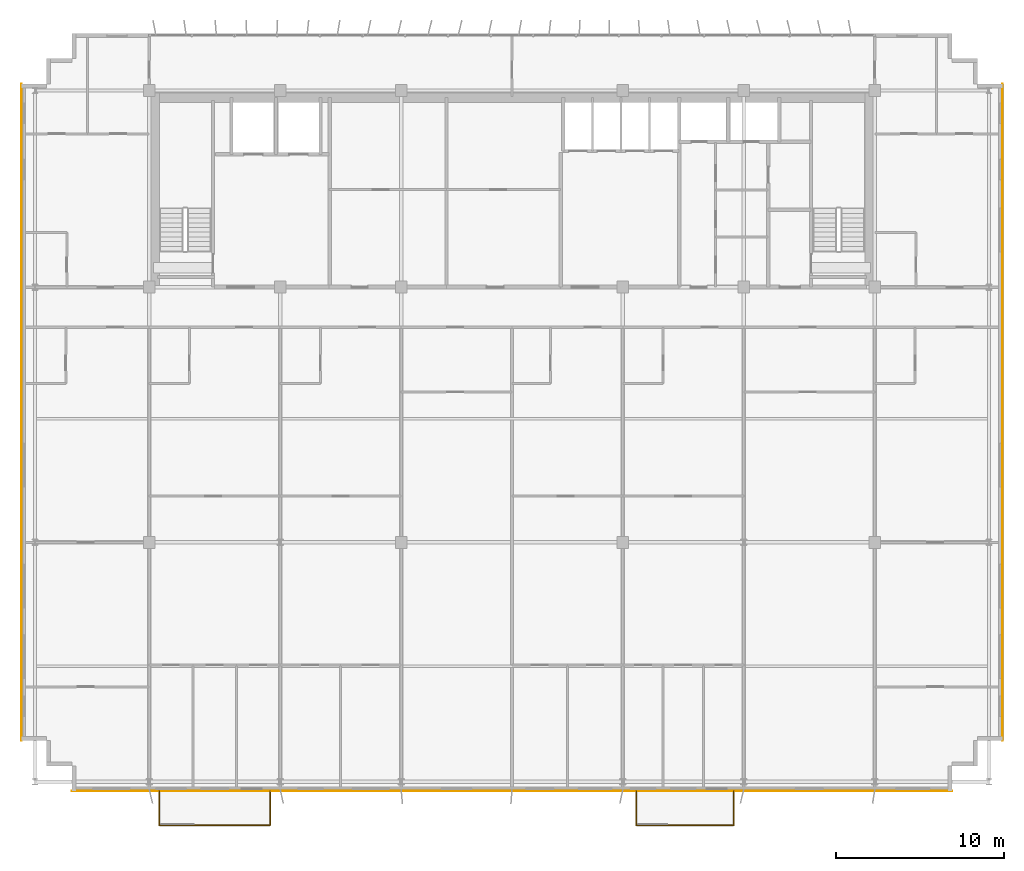
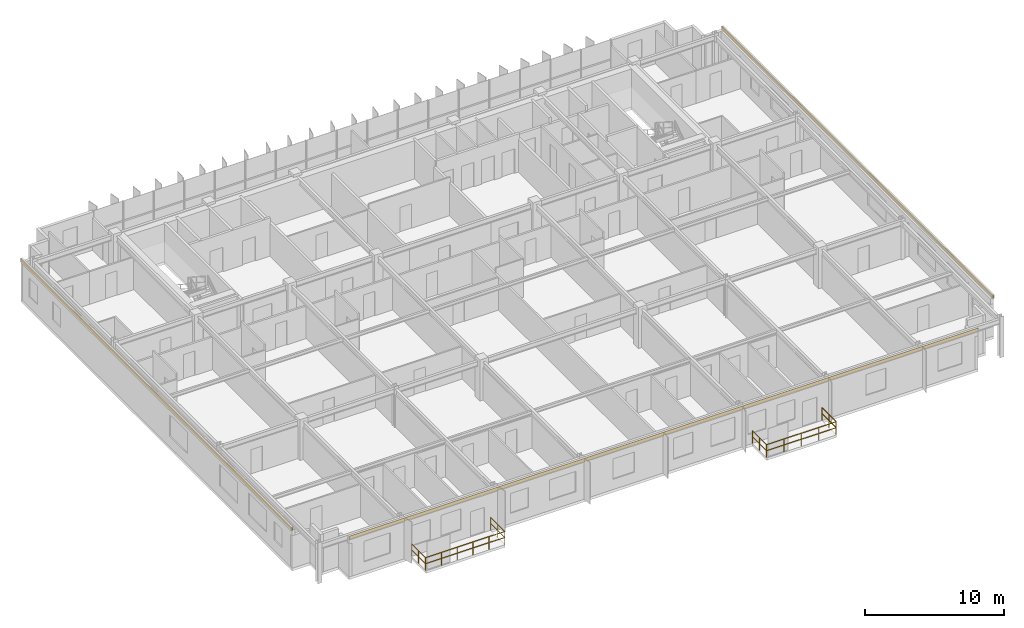
# One storey, part 22 of 23: 6 railings, 3 coverings.
"""IFC4 building model written with IfcOpenShell, lengths in metres."""

from ifc_helpers import new_model, si_unit, direction, frame, origin, origin_2d, place, context, subcontext, project, spatial, rectangle, extrude, source, transform, mapped, material, layer, layer_set, type_object, element, save


model = new_model("IFC4")

# Units and contexts
model_context = context("Model", 3, precision=1e-05, world=origin(), true_north=direction((0.0, 1.0)))
body_context = subcontext(model_context, "Body", "Model", "MODEL_VIEW")
ifc_project = project(units=[si_unit("LENGTHUNIT", "METRE"), si_unit("AREAUNIT", "SQUARE_METRE"), si_unit("VOLUMEUNIT", "CUBIC_METRE"), si_unit("PLANEANGLEUNIT", "RADIAN"), si_unit("MASSUNIT", "GRAM", prefix="KILO")], contexts=[model_context])

# Site, building, storey
site_placement = place(None, origin())
site = spatial("IfcSite", under=ifc_project, at=site_placement, CompositionType="ELEMENT")
building_placement = place(site_placement, origin())
building = spatial("IfcBuilding", under=site, at=building_placement, Name="Trelvane Seafront Commons", CompositionType="ELEMENT")
storey_placement = place(building_placement, frame((0.0, 0.0, 222.89990234375)))
storey = spatial("IfcBuildingStorey", under=building, at=storey_placement, Name="L58", CompositionType="ELEMENT", Elevation=222.89990234375)

# Railings
ifc_material_1 = material(Name="Stainless steel balustrade", Category="steel")
railing_type = type_object("IfcRailingType", Name="ARCH-RAIL-BAL1150", PredefinedType="BALUSTRADE", material=ifc_material_1)
railing_1_placement = place(storey_placement, frame((16.199951171875, 3.39990234375, 0.0)))
element("IfcRailing", 1, at=railing_1_placement, inside=storey, type_object=railing_type, Name="RL-L58-BAL0-01", PredefinedType="BALUSTRADE", context=body_context, shape_type="SweptSolid", body=[
    extrude(rectangle(XDim=0.048095703125, YDim=0.048095703125, at=origin_2d()), frame((0.0, 0.0, 1.1259765625), z_axis=(0.0, -1.0, 0.0), x_axis=(1.0, 0.0, 0.0)), (0.0, 0.0, 1.0), 2.039794921875),
    extrude(rectangle(XDim=0.048095703125, YDim=0.048095703125, at=origin_2d()), frame((0.0, 0.0, 0.597900390625), z_axis=(0.0, -1.0, 0.0), x_axis=(1.0, 0.0, 0.0)), (0.0, 0.0, 1.0), 2.039794921875),
    extrude(rectangle(XDim=0.0419921875, YDim=0.0419921875, at=origin_2d()), origin(), (0.0, 0.0, 1.0), 1.1259765625),
    extrude(rectangle(XDim=0.0419921875, YDim=0.0419921875, at=origin_2d()), frame((0.0, -1.02001953125, 0.0)), (0.0, 0.0, 1.0), 1.1259765625),
    extrude(rectangle(XDim=0.0419921875, YDim=0.0419921875, at=origin_2d()), frame((0.0, -2.039794921875, 0.0)), (0.0, 0.0, 1.0), 1.1259765625),
])
railing_2_placement = place(storey_placement, frame((16.199951171875, 1.360107421875, 0.0)))
element("IfcRailing", 2, at=railing_2_placement, inside=storey, type_object=railing_type, Name="RL-L58-BAL0-02", PredefinedType="BALUSTRADE", context=body_context, shape_type="SweptSolid", body=[
    extrude(rectangle(XDim=0.048095703125, YDim=0.048095703125, at=origin_2d()), frame((0.0, 0.0, 1.1259765625), z_axis=(1.0, 0.0, 0.0), x_axis=(0.0, 1.0, 0.0)), (0.0, 0.0, 1.0), 6.60009765625),
    extrude(rectangle(XDim=0.048095703125, YDim=0.048095703125, at=origin_2d()), frame((0.0, 0.0, 0.597900390625), z_axis=(1.0, 0.0, 0.0), x_axis=(0.0, 1.0, 0.0)), (0.0, 0.0, 1.0), 6.60009765625),
    extrude(rectangle(XDim=0.0419921875, YDim=0.0419921875, at=origin_2d()), origin(), (0.0, 0.0, 1.0), 1.1259765625),
    extrude(rectangle(XDim=0.0419921875, YDim=0.0419921875, at=origin_2d()), frame((1.320068359375, 0.0, 0.0)), (0.0, 0.0, 1.0), 1.1259765625),
    extrude(rectangle(XDim=0.0419921875, YDim=0.0419921875, at=origin_2d()), frame((2.64013671875, 0.0, 0.0)), (0.0, 0.0, 1.0), 1.1259765625),
    extrude(rectangle(XDim=0.0419921875, YDim=0.0419921875, at=origin_2d()), frame((3.9599609375, 0.0, 0.0)), (0.0, 0.0, 1.0), 1.1259765625),
    extrude(rectangle(XDim=0.0419921875, YDim=0.0419921875, at=origin_2d()), frame((5.280029296875, 0.0, 0.0)), (0.0, 0.0, 1.0), 1.1259765625),
    extrude(rectangle(XDim=0.0419921875, YDim=0.0419921875, at=origin_2d()), frame((6.60009765625, 0.0, 0.0)), (0.0, 0.0, 1.0), 1.1259765625),
])
railing_3_placement = place(storey_placement, frame((22.800048828125, 1.360107421875, 0.0)))
element("IfcRailing", 3, at=railing_3_placement, inside=storey, type_object=railing_type, Name="RL-L58-BAL0-03", PredefinedType="BALUSTRADE", context=body_context, shape_type="SweptSolid", body=[
    extrude(rectangle(XDim=0.048095703125, YDim=0.048095703125, at=origin_2d()), frame((0.0, 0.0, 1.1259765625), z_axis=(0.0, 1.0, 0.0), x_axis=(-1.0, 0.0, 0.0)), (0.0, 0.0, 1.0), 2.039794921875),
    extrude(rectangle(XDim=0.048095703125, YDim=0.048095703125, at=origin_2d()), frame((0.0, 0.0, 0.597900390625), z_axis=(0.0, 1.0, 0.0), x_axis=(-1.0, 0.0, 0.0)), (0.0, 0.0, 1.0), 2.039794921875),
    extrude(rectangle(XDim=0.0419921875, YDim=0.0419921875, at=origin_2d()), origin(), (0.0, 0.0, 1.0), 1.1259765625),
    extrude(rectangle(XDim=0.0419921875, YDim=0.0419921875, at=origin_2d()), frame((0.0, 1.02001953125, 0.0)), (0.0, 0.0, 1.0), 1.1259765625),
    extrude(rectangle(XDim=0.0419921875, YDim=0.0419921875, at=origin_2d()), frame((0.0, 2.039794921875, 0.0)), (0.0, 0.0, 1.0), 1.1259765625),
])
railing_4_placement = place(storey_placement, frame((44.60009765625, 3.39990234375, 0.0)))
element("IfcRailing", 4, at=railing_4_placement, inside=storey, type_object=railing_type, Name="RL-L58-BAL1-01", PredefinedType="BALUSTRADE", context=body_context, shape_type="SweptSolid", body=[
    extrude(rectangle(XDim=0.048095703125, YDim=0.048095703125, at=origin_2d()), frame((0.0, 0.0, 1.1259765625), z_axis=(0.0, -1.0, 0.0), x_axis=(1.0, 0.0, 0.0)), (0.0, 0.0, 1.0), 2.039794921875),
    extrude(rectangle(XDim=0.048095703125, YDim=0.048095703125, at=origin_2d()), frame((0.0, 0.0, 0.597900390625), z_axis=(0.0, -1.0, 0.0), x_axis=(1.0, 0.0, 0.0)), (0.0, 0.0, 1.0), 2.039794921875),
    extrude(rectangle(XDim=0.0419921875, YDim=0.0419921875, at=origin_2d()), origin(), (0.0, 0.0, 1.0), 1.1259765625),
    extrude(rectangle(XDim=0.0419921875, YDim=0.0419921875, at=origin_2d()), frame((0.0, -1.02001953125, 0.0)), (0.0, 0.0, 1.0), 1.1259765625),
    extrude(rectangle(XDim=0.0419921875, YDim=0.0419921875, at=origin_2d()), frame((0.0, -2.039794921875, 0.0)), (0.0, 0.0, 1.0), 1.1259765625),
])
railing_5_placement = place(storey_placement, frame((44.60009765625, 1.360107421875, 0.0)))
element("IfcRailing", 5, at=railing_5_placement, inside=storey, type_object=railing_type, Name="RL-L58-BAL1-02", PredefinedType="BALUSTRADE", context=body_context, shape_type="SweptSolid", body=[
    extrude(rectangle(XDim=0.048095703125, YDim=0.048095703125, at=origin_2d()), frame((0.0, 0.0, 1.1259765625), z_axis=(1.0, 0.0, 0.0), x_axis=(0.0, 1.0, 0.0)), (0.0, 0.0, 1.0), 5.7998046875),
    extrude(rectangle(XDim=0.048095703125, YDim=0.048095703125, at=origin_2d()), frame((0.0, 0.0, 0.597900390625), z_axis=(1.0, 0.0, 0.0), x_axis=(0.0, 1.0, 0.0)), (0.0, 0.0, 1.0), 5.7998046875),
    extrude(rectangle(XDim=0.0419921875, YDim=0.0419921875, at=origin_2d()), origin(), (0.0, 0.0, 1.0), 1.1259765625),
    extrude(rectangle(XDim=0.0419921875, YDim=0.0419921875, at=origin_2d()), frame((1.449951171875, 0.0, 0.0)), (0.0, 0.0, 1.0), 1.1259765625),
    extrude(rectangle(XDim=0.0419921875, YDim=0.0419921875, at=origin_2d()), frame((2.89990234375, 0.0, 0.0)), (0.0, 0.0, 1.0), 1.1259765625),
    extrude(rectangle(XDim=0.0419921875, YDim=0.0419921875, at=origin_2d()), frame((4.349853515625, 0.0, 0.0)), (0.0, 0.0, 1.0), 1.1259765625),
    extrude(rectangle(XDim=0.0419921875, YDim=0.0419921875, at=origin_2d()), frame((5.7998046875, 0.0, 0.0)), (0.0, 0.0, 1.0), 1.1259765625),
])
railing_6_placement = place(storey_placement, frame((50.39990234375, 1.360107421875, 0.0)))
element("IfcRailing", 6, at=railing_6_placement, inside=storey, type_object=railing_type, Name="RL-L58-BAL1-03", PredefinedType="BALUSTRADE", context=body_context, shape_type="SweptSolid", body=[
    extrude(rectangle(XDim=0.048095703125, YDim=0.048095703125, at=origin_2d()), frame((0.0, 0.0, 1.1259765625), z_axis=(0.0, 1.0, 0.0), x_axis=(-1.0, 0.0, 0.0)), (0.0, 0.0, 1.0), 2.039794921875),
    extrude(rectangle(XDim=0.048095703125, YDim=0.048095703125, at=origin_2d()), frame((0.0, 0.0, 0.597900390625), z_axis=(0.0, 1.0, 0.0), x_axis=(-1.0, 0.0, 0.0)), (0.0, 0.0, 1.0), 2.039794921875),
    extrude(rectangle(XDim=0.0419921875, YDim=0.0419921875, at=origin_2d()), origin(), (0.0, 0.0, 1.0), 1.1259765625),
    extrude(rectangle(XDim=0.0419921875, YDim=0.0419921875, at=origin_2d()), frame((0.0, 1.02001953125, 0.0)), (0.0, 0.0, 1.0), 1.1259765625),
    extrude(rectangle(XDim=0.0419921875, YDim=0.0419921875, at=origin_2d()), frame((0.0, 2.039794921875, 0.0)), (0.0, 0.0, 1.0), 1.1259765625),
])

# Coverings
ifc_material_2 = material(Name="Anodised pale-silver aluminium", Category="aluminium")
ifc_layer = layer(ifc_material_2, 0.034912109375, Name="ARCH-COV-CLAD35")
ifc_layer_set = layer_set([ifc_layer], Name="Anodised pale-silver aluminium")
covering_type = type_object("IfcCoveringType", Name="ARCH-COV-CLAD35", PredefinedType="CLADDING", material=ifc_layer_set)
shared_shape_1 = source(origin(), body_context, "Body", "SweptSolid", [
    extrude(rectangle(XDim=39.10009765625, YDim=0.034912109375, at=origin_2d()), origin(), (0.0, 0.0, 1.0), 0.280029296875),
])
for number, where, z_axis, x_axis, name in (
    (7, (8.0, 25.949951171875, 3.3203125), (0.0, 0.0, 1.0), (0.0, 1.0, 0.0), "CLD-L58-00238"),
    (8, (66.39990234375, 25.949951171875, 3.3203125), (0.0, 0.0, 1.0), (0.0, -1.0, 0.0), "CLD-L58-00239"),
):
    element("IfcCovering", number, at=place(storey_placement, frame(where, z_axis=z_axis, x_axis=x_axis)), inside=storey, type_object=covering_type, Name=name, PredefinedType="CLADDING", context=body_context, shape_type="MappedRepresentation", body=[
        mapped(shared_shape_1, transform((0.0, 0.0, 0.0), x_axis=(1.0, 0.0, 0.0), y_axis=(0.0, 1.0, 0.0), z_axis=(0.0, 0.0, 1.0), scale=1.0)),
    ])
shared_shape_2 = source(origin(), body_context, "Body", "SweptSolid", [
    extrude(rectangle(XDim=52.39990234375, YDim=0.034912109375, at=origin_2d()), origin(), (0.0, 0.0, 1.0), 0.280029296875),
])
covering_placement = place(storey_placement, frame((37.199951171875, 3.39990234375, 3.3203125), z_axis=(0.0, 0.0, 1.0), x_axis=(-1.0, 0.0, 0.0)))
element("IfcCovering", 9, at=covering_placement, inside=storey, type_object=covering_type, Name="CLD-L58-00240", PredefinedType="CLADDING", context=body_context, shape_type="MappedRepresentation", body=[
    mapped(shared_shape_2, transform((0.0, 0.0, 0.0), x_axis=(1.0, 0.0, 0.0), y_axis=(0.0, 1.0, 0.0), z_axis=(0.0, 0.0, 1.0), scale=1.0)),
])

save(model, "model.ifc")
